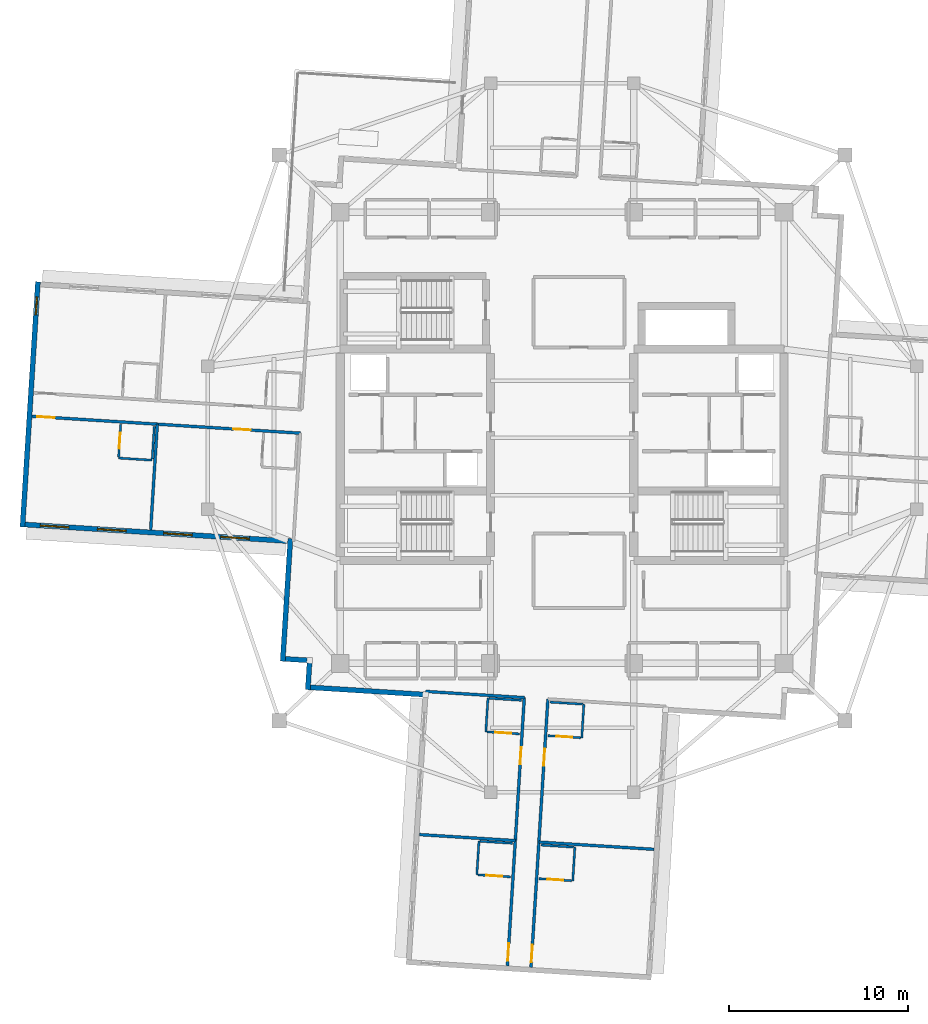
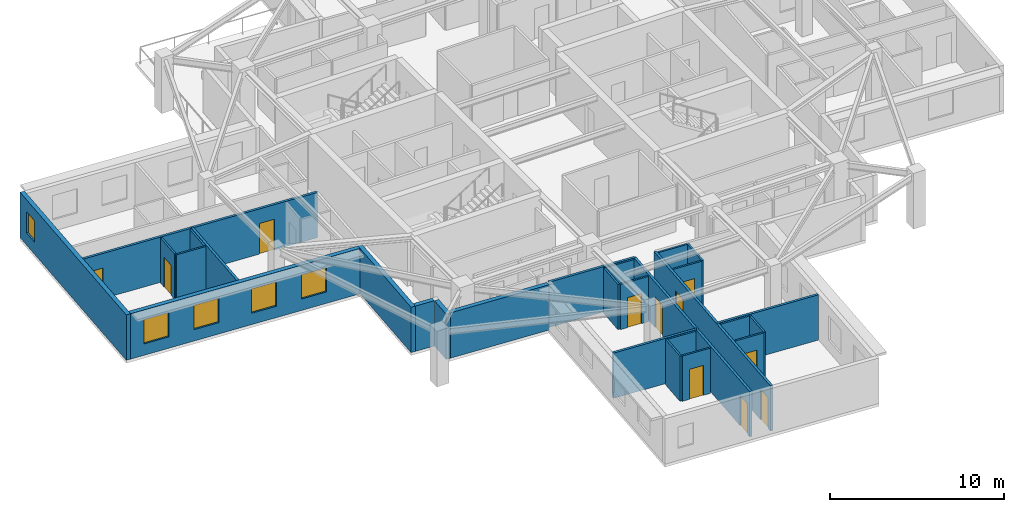
# One storey, part 3 of 12: 28 walls, 11 doors, 5 windows, 16 openings.
"""IFC4 building model written with IfcOpenShell, lengths in metres."""

from ifc_helpers import new_model, si_unit, direction, frame, frame_2d, origin, place, context, subcontext, project, spatial, rectangle, extrude, material, layer, layer_set, type_object, element, fill, save


model = new_model("IFC4")

# Units and contexts
model_context = context("Model", 3, precision=1e-05, world=origin(), true_north=direction((0.0, 1.0)))
body_context = subcontext(model_context, "Body", "Model", "MODEL_VIEW")
ifc_project = project(units=[si_unit("LENGTHUNIT", "METRE"), si_unit("AREAUNIT", "SQUARE_METRE"), si_unit("VOLUMEUNIT", "CUBIC_METRE"), si_unit("PLANEANGLEUNIT", "RADIAN"), si_unit("MASSUNIT", "GRAM", prefix="KILO")], contexts=[model_context])

# Site, building, storey
site_placement = place(None, origin())
site = spatial("IfcSite", under=ifc_project, at=site_placement, CompositionType="ELEMENT")
building_placement = place(site_placement, origin())
building = spatial("IfcBuilding", under=site, at=building_placement, Name="Qingluan Cross Belvedere", CompositionType="ELEMENT")
storey_placement = place(building_placement, frame((0.0, 0.0, 249.89990234375)))
storey = spatial("IfcBuildingStorey", under=building, at=storey_placement, Name="L62", CompositionType="ELEMENT", Elevation=249.89990234375)

# Wall, openings, doors
ifc_material_1 = material(Name="Gypsum plasterboard on steel stud acoustic partition", Category="steel")
ifc_layer_1 = layer(ifc_material_1, 0.159912109375, Name="CorridorPartition_160")
ifc_layer_set_1 = layer_set([ifc_layer_1], Name="Gypsum plasterboard on steel stud acoustic partition")
wall_type_1 = type_object("IfcWallType", Name="CorridorPartition_160", PredefinedType="PARTITIONING", material=ifc_layer_set_1)
wall_1_placement = place(storey_placement, frame((-14.632568359375, 0.25927734375, 0.0), z_axis=(0.0, 0.0, 1.0), x_axis=(-0.998026674719, 0.062791373209, 0.0)))
wall_1 = element("IfcWall", 1, at=wall_1_placement, inside=storey, type_object=wall_type_1, Name="Partition L62:W:c1", PredefinedType="PARTITIONING", context=body_context, shape_type="SweptSolid", body=[
    extrude(rectangle(XDim=15.011962890625, YDim=0.159912109375, at=frame_2d((7.505859375, 0.0))), origin(), (0.0, 0.0, 1.0), 3.170166015625),
])
opening_1_placement = place(wall_1_placement, frame((2.780029296875, 0.0, 0.0)))
opening_1 = element("IfcOpeningElement", 2, at=opening_1_placement, cuts=wall_1, Name="Opening GD-10", PredefinedType="OPENING", context=body_context, shape_type="SweptSolid", body=[
    extrude(rectangle(XDim=0.9599609375, YDim=2.14990234375, at=frame_2d((0.47998046875, 1.074951171875))), frame((0.0, 0.08984375, 0.0), z_axis=(0.0, -1.0, 0.0), x_axis=(1.0, 0.0, 0.0)), (0.0, 0.0, 1.0), 0.179931640625),
])
opening_2_placement = place(wall_1_placement, frame((13.760009765625, 0.0, 0.0)))
opening_2 = element("IfcOpeningElement", 3, at=opening_2_placement, cuts=wall_1, Name="Opening GD-10", PredefinedType="OPENING", context=body_context, shape_type="SweptSolid", body=[
    extrude(rectangle(XDim=0.9599609375, YDim=2.14990234375, at=frame_2d((0.47998046875, 1.074951171875))), frame((0.0, 0.08984375, 0.0), z_axis=(0.0, -1.0, 0.0), x_axis=(1.0, 0.0, 0.0)), (0.0, 0.0, 1.0), 0.179931640625),
])
ifc_material_2 = material(Name="Timber oak fire-rated acoustic guestroom door", Category="wood")
door_type_1 = type_object("IfcDoorType", Name="GuestEntryDoor_FD60", OperationType="NOTDEFINED", PredefinedType="DOOR", material=ifc_material_2)
door_1_placement = place(opening_1_placement, origin())
door_1 = element("IfcDoor", 4, at=door_1_placement, inside=storey, type_object=door_type_1, Name="Guest entry fire door 6207", OperationType="SINGLE_SWING_LEFT", OverallHeight=2.14990234375, OverallWidth=0.9599609375, PredefinedType="DOOR", context=body_context, shape_type="SweptSolid", body=[
    extrude(rectangle(XDim=0.9599609375, YDim=2.14990234375, at=frame_2d((0.47998046875, 1.074951171875))), frame((0.0, 0.02490234375, 0.0), z_axis=(0.0, -1.0, 0.0), x_axis=(1.0, 0.0, 0.0)), (0.0, 0.0, 1.0), 0.050048828125),
])
fill(opening_1, door_1)
door_2_placement = place(opening_2_placement, origin())
door_2 = element("IfcDoor", 5, at=door_2_placement, inside=storey, type_object=door_type_1, Name="Guest entry fire door 6208", OperationType="SINGLE_SWING_LEFT", OverallHeight=2.14990234375, OverallWidth=0.9599609375, PredefinedType="DOOR", context=body_context, shape_type="SweptSolid", body=[
    extrude(rectangle(XDim=0.9599609375, YDim=2.14990234375, at=frame_2d((0.47998046875, 1.074951171875))), frame((0.0, 0.02490234375, 0.0), z_axis=(0.0, -1.0, 0.0), x_axis=(1.0, 0.0, 0.0)), (0.0, 0.0, 1.0), 0.050048828125),
])
fill(opening_2, door_2)

# Wall
wall_2_placement = place(storey_placement, frame((-22.620849609375, 0.761962890625, 0.0), z_axis=(0.0, 0.0, 1.0), x_axis=(-0.062769061523, -0.99802807822, 0.0)))
element("IfcWall", 6, at=wall_2_placement, inside=storey, type_object=wall_type_1, Name="Partition L62:W:d1_0", PredefinedType="PARTITIONING", context=body_context, shape_type="SweptSolid", body=[
    extrude(rectangle(XDim=5.912109375, YDim=0.159912109375, at=frame_2d((2.9560546875, 0.0))), origin(), (0.0, 0.0, 1.0), 3.170166015625),
])

# Wall, openings, doors
wall_3_placement = place(storey_placement, frame((-0.798095703125, -14.5986328125, 0.0), z_axis=(0.0, 0.0, 1.0), x_axis=(-0.062791373209, -0.998026674719, 0.0)))
wall_3 = element("IfcWall", 7, at=wall_3_placement, inside=storey, type_object=wall_type_1, Name="Partition L62:S:c0", PredefinedType="PARTITIONING", context=body_context, shape_type="SweptSolid", body=[
    extrude(rectangle(XDim=15.011962890625, YDim=0.159912109375, at=frame_2d((7.505859375, 0.0))), origin(), (0.0, 0.0, 1.0), 3.170166015625),
])
opening_3_placement = place(wall_3_placement, frame((2.780029296875, 0.0, 0.0)))
opening_3 = element("IfcOpeningElement", 8, at=opening_3_placement, cuts=wall_3, Name="Opening GD-10", PredefinedType="OPENING", context=body_context, shape_type="SweptSolid", body=[
    extrude(rectangle(XDim=0.9599609375, YDim=2.14990234375, at=frame_2d((0.47998046875, 1.074951171875))), frame((0.0, 0.08984375, 0.0), z_axis=(0.0, -1.0, 0.0), x_axis=(1.0, 0.0, 0.0)), (0.0, 0.0, 1.0), 0.179931640625),
])
opening_4_placement = place(wall_3_placement, frame((13.760009765625, 0.0, 0.0)))
opening_4 = element("IfcOpeningElement", 9, at=opening_4_placement, cuts=wall_3, Name="Opening GD-10", PredefinedType="OPENING", context=body_context, shape_type="SweptSolid", body=[
    extrude(rectangle(XDim=0.9599609375, YDim=2.14990234375, at=frame_2d((0.47998046875, 1.074951171875))), frame((0.0, 0.08984375, 0.0), z_axis=(0.0, -1.0, 0.0), x_axis=(1.0, 0.0, 0.0)), (0.0, 0.0, 1.0), 0.179931640625),
])
door_3_placement = place(opening_3_placement, origin())
door_3 = element("IfcDoor", 10, at=door_3_placement, inside=storey, type_object=door_type_1, Name="Guest entry fire door 6211", OperationType="SINGLE_SWING_LEFT", OverallHeight=2.14990234375, OverallWidth=0.9599609375, PredefinedType="DOOR", context=body_context, shape_type="SweptSolid", body=[
    extrude(rectangle(XDim=0.9599609375, YDim=2.14990234375, at=frame_2d((0.47998046875, 1.074951171875))), frame((0.0, 0.02490234375, 0.0), z_axis=(0.0, -1.0, 0.0), x_axis=(1.0, 0.0, 0.0)), (0.0, 0.0, 1.0), 0.050048828125),
])
fill(opening_3, door_3)
door_4_placement = place(opening_4_placement, origin())
door_4 = element("IfcDoor", 11, at=door_4_placement, inside=storey, type_object=door_type_1, Name="Guest entry fire door 6212", OperationType="SINGLE_SWING_LEFT", OverallHeight=2.14990234375, OverallWidth=0.9599609375, PredefinedType="DOOR", context=body_context, shape_type="SweptSolid", body=[
    extrude(rectangle(XDim=0.9599609375, YDim=2.14990234375, at=frame_2d((0.47998046875, 1.074951171875))), frame((0.0, 0.02490234375, 0.0), z_axis=(0.0, -1.0, 0.0), x_axis=(1.0, 0.0, 0.0)), (0.0, 0.0, 1.0), 0.050048828125),
])
fill(opening_4, door_4)

# Wall
wall_4_placement = place(storey_placement, frame((-1.30078125, -22.5869140625, 0.0), z_axis=(0.0, 0.0, 1.0), x_axis=(0.998027616022, -0.062776410047, 0.0)))
element("IfcWall", 12, at=wall_4_placement, inside=storey, type_object=wall_type_1, Name="Partition L62:S:d0_0", PredefinedType="PARTITIONING", context=body_context, shape_type="SweptSolid", body=[
    extrude(rectangle(XDim=6.451904296875, YDim=0.159912109375, at=frame_2d((3.22607421875, 0.0))), origin(), (0.0, 0.0, 1.0), 3.170166015625),
])

# Wall, openings, doors
wall_5_placement = place(storey_placement, frame((-2.115478515625, -14.515869140625, 0.0), z_axis=(0.0, 0.0, 1.0), x_axis=(-0.062791373209, -0.998026674719, 0.0)))
wall_5 = element("IfcWall", 13, at=wall_5_placement, inside=storey, type_object=wall_type_1, Name="Partition L62:S:c1", PredefinedType="PARTITIONING", context=body_context, shape_type="SweptSolid", body=[
    extrude(rectangle(XDim=15.011962890625, YDim=0.159912109375, at=frame_2d((7.505859375, 0.0))), origin(), (0.0, 0.0, 1.0), 3.170166015625),
])
opening_5_placement = place(wall_5_placement, frame((2.780029296875, 0.0, 0.0)))
opening_5 = element("IfcOpeningElement", 14, at=opening_5_placement, cuts=wall_5, Name="Opening GD-10", PredefinedType="OPENING", context=body_context, shape_type="SweptSolid", body=[
    extrude(rectangle(XDim=0.9599609375, YDim=2.14990234375, at=frame_2d((0.47998046875, 1.074951171875))), frame((0.0, 0.08984375, 0.0), z_axis=(0.0, -1.0, 0.0), x_axis=(1.0, 0.0, 0.0)), (0.0, 0.0, 1.0), 0.179931640625),
])
opening_6_placement = place(wall_5_placement, frame((13.760009765625, 0.0, 0.0)))
opening_6 = element("IfcOpeningElement", 15, at=opening_6_placement, cuts=wall_5, Name="Opening GD-10", PredefinedType="OPENING", context=body_context, shape_type="SweptSolid", body=[
    extrude(rectangle(XDim=0.9599609375, YDim=2.14990234375, at=frame_2d((0.47998046875, 1.074951171875))), frame((0.0, 0.08984375, 0.0), z_axis=(0.0, -1.0, 0.0), x_axis=(1.0, 0.0, 0.0)), (0.0, 0.0, 1.0), 0.179931640625),
])
door_5_placement = place(opening_5_placement, origin())
door_5 = element("IfcDoor", 16, at=door_5_placement, inside=storey, type_object=door_type_1, Name="Guest entry fire door 6213", OperationType="SINGLE_SWING_LEFT", OverallHeight=2.14990234375, OverallWidth=0.9599609375, PredefinedType="DOOR", context=body_context, shape_type="SweptSolid", body=[
    extrude(rectangle(XDim=0.9599609375, YDim=2.14990234375, at=frame_2d((0.47998046875, 1.074951171875))), frame((0.0, 0.02490234375, 0.0), z_axis=(0.0, -1.0, 0.0), x_axis=(1.0, 0.0, 0.0)), (0.0, 0.0, 1.0), 0.050048828125),
])
fill(opening_5, door_5)
door_6_placement = place(opening_6_placement, origin())
door_6 = element("IfcDoor", 17, at=door_6_placement, inside=storey, type_object=door_type_1, Name="Guest entry fire door 6214", OperationType="SINGLE_SWING_LEFT", OverallHeight=2.14990234375, OverallWidth=0.9599609375, PredefinedType="DOOR", context=body_context, shape_type="SweptSolid", body=[
    extrude(rectangle(XDim=0.9599609375, YDim=2.14990234375, at=frame_2d((0.47998046875, 1.074951171875))), frame((0.0, 0.02490234375, 0.0), z_axis=(0.0, -1.0, 0.0), x_axis=(1.0, 0.0, 0.0)), (0.0, 0.0, 1.0), 0.050048828125),
])
fill(opening_6, door_6)

# Walls
wall_6_placement = place(storey_placement, frame((-2.115478515625, -14.515869140625, 0.0), z_axis=(0.0, 0.0, 1.0), x_axis=(-0.998025986639, 0.062802308829, 0.0)))
element("IfcWall", 18, at=wall_6_placement, inside=storey, type_object=wall_type_1, Name="Partition L62:S:s1", PredefinedType="PARTITIONING", context=body_context, shape_type="SweptSolid", body=[
    extrude(rectangle(XDim=5.520263671875, YDim=0.159912109375, at=frame_2d((2.76025390625, 0.0))), origin(), (0.0, 0.0, 1.0), 3.170166015625),
])
wall_7_placement = place(storey_placement, frame((-2.6181640625, -22.50390625, 0.0), z_axis=(0.0, 0.0, 1.0), x_axis=(-0.998028454231, 0.062763082664, 0.0)))
element("IfcWall", 19, at=wall_7_placement, inside=storey, type_object=wall_type_1, Name="Partition L62:S:d1_0", PredefinedType="PARTITIONING", context=body_context, shape_type="SweptSolid", body=[
    extrude(rectangle(XDim=5.371826171875, YDim=0.159912109375, at=frame_2d((2.68603515625, 0.0))), origin(), (0.0, 0.0, 1.0), 3.170166015625),
])

# Wall, opening, door
ifc_material_3 = material(Name="Moisture-resistant gypsum board lining")
ifc_layer_2 = layer(ifc_material_3, 0.1201171875, Name="EnsuiteWetPartition_120")
ifc_layer_set_2 = layer_set([ifc_layer_2], Name="Moisture-resistant gypsum board lining")
wall_type_2 = type_object("IfcWallType", Name="EnsuiteWetPartition_120", PredefinedType="PARTITIONING", material=ifc_layer_set_2)
wall_8_placement = place(storey_placement, frame((-24.77978515625, -1.066162109375, 0.0), z_axis=(0.0, 0.0, 1.0), x_axis=(0.062779145668, 0.998027443946, 0.0)))
wall_8 = element("IfcWall", 20, at=wall_8_placement, inside=storey, type_object=wall_type_2, Name="Partition L62:W:bs1_1", PredefinedType="PARTITIONING", context=body_context, shape_type="SweptSolid", body=[
    extrude(rectangle(XDim=1.820068359375, YDim=0.1201171875, at=frame_2d((0.91015625, 0.0))), origin(), (0.0, 0.0, 1.0), 3.170166015625),
])
opening_7_placement = place(wall_8_placement, frame((0.469970703125, 0.0, 0.0)))
opening_7 = element("IfcOpeningElement", 21, at=opening_7_placement, cuts=wall_8, Name="Opening BD-09", PredefinedType="OPENING", context=body_context, shape_type="SweptSolid", body=[
    extrude(rectangle(XDim=0.8798828125, YDim=2.10009765625, at=frame_2d((0.43994140625, 1.050048828125))), frame((0.0, 0.070068359375, 0.0), z_axis=(0.0, -1.0, 0.0), x_axis=(1.0, 0.0, 0.0)), (0.0, 0.0, 1.0), 0.14013671875),
])
ifc_material_4 = material(Name="Moisture-sealed timber en-suite door", Category="wood")
door_type_2 = type_object("IfcDoorType", Name="BathroomDoor_880", OperationType="NOTDEFINED", PredefinedType="DOOR", material=ifc_material_4)
door_7_placement = place(opening_7_placement, origin())
door_7 = element("IfcDoor", 22, at=door_7_placement, inside=storey, type_object=door_type_2, Name="Bathroom door 6208", OperationType="SINGLE_SWING_RIGHT", OverallHeight=2.10009765625, OverallWidth=0.8798828125, PredefinedType="DOOR", context=body_context, shape_type="SweptSolid", body=[
    extrude(rectangle(XDim=0.8798828125, YDim=2.10009765625, at=frame_2d((0.43994140625, 1.050048828125))), frame((0.0, 0.02490234375, 0.0), z_axis=(0.0, -1.0, 0.0), x_axis=(1.0, 0.0, 0.0)), (0.0, 0.0, 1.0), 0.050048828125),
])
fill(opening_7, door_7)

# Walls
wall_9_placement = place(storey_placement, frame((-22.903564453125, -1.18408203125, 0.0), z_axis=(0.0, 0.0, 1.0), x_axis=(0.062787551592, 0.998026915151, 0.0)))
element("IfcWall", 23, at=wall_9_placement, inside=storey, type_object=wall_type_2, Name="Partition L62:W:bw1_1", PredefinedType="PARTITIONING", context=body_context, shape_type="SweptSolid", body=[
    extrude(rectangle(XDim=1.81982421875, YDim=0.1201171875, at=frame_2d((0.909912109375, 0.0))), origin(), (0.0, 0.0, 1.0), 3.170166015625),
])
wall_10_placement = place(storey_placement, frame((-22.90771484375, -1.2490234375, 0.0), z_axis=(0.0, 0.0, 1.0), x_axis=(-0.998030789148, 0.062725942896, 0.0)))
element("IfcWall", 24, at=wall_10_placement, inside=storey, type_object=wall_type_2, Name="Partition L62:W:bc1_1", PredefinedType="PARTITIONING", context=body_context, shape_type="SweptSolid", body=[
    extrude(rectangle(XDim=1.8798828125, YDim=0.1201171875, at=frame_2d((0.93994140625, 0.0))), origin(), (0.0, 0.0, 1.0), 3.170166015625),
])

# Wall, opening, door
wall_11_placement = place(storey_placement, frame((-0.78662109375, -16.6435546875, 0.0), z_axis=(0.0, 0.0, 1.0), x_axis=(0.998027443946, -0.062779145668, 0.0)))
wall_11 = element("IfcWall", 25, at=wall_11_placement, inside=storey, type_object=wall_type_2, Name="Partition L62:S:bs0_0", PredefinedType="PARTITIONING", context=body_context, shape_type="SweptSolid", body=[
    extrude(rectangle(XDim=1.820068359375, YDim=0.1201171875, at=frame_2d((0.91015625, 0.0))), origin(), (0.0, 0.0, 1.0), 3.170166015625),
])
opening_8_placement = place(wall_11_placement, frame((0.469970703125, 0.0, 0.0)))
opening_8 = element("IfcOpeningElement", 26, at=opening_8_placement, cuts=wall_11, Name="Opening BD-09", PredefinedType="OPENING", context=body_context, shape_type="SweptSolid", body=[
    extrude(rectangle(XDim=0.8798828125, YDim=2.10009765625, at=frame_2d((0.43994140625, 1.050048828125))), frame((0.0, 0.070068359375, 0.0), z_axis=(0.0, -1.0, 0.0), x_axis=(1.0, 0.0, 0.0)), (0.0, 0.0, 1.0), 0.14013671875),
])
door_8_placement = place(opening_8_placement, origin())
door_8 = element("IfcDoor", 27, at=door_8_placement, inside=storey, type_object=door_type_2, Name="Bathroom door 6211", OperationType="SINGLE_SWING_RIGHT", OverallHeight=2.10009765625, OverallWidth=0.8798828125, PredefinedType="DOOR", context=body_context, shape_type="SweptSolid", body=[
    extrude(rectangle(XDim=0.8798828125, YDim=2.10009765625, at=frame_2d((0.43994140625, 1.050048828125))), frame((0.0, 0.02490234375, 0.0), z_axis=(0.0, -1.0, 0.0), x_axis=(1.0, 0.0, 0.0)), (0.0, 0.0, 1.0), 0.050048828125),
])
fill(opening_8, door_8)

# Walls
wall_12_placement = place(storey_placement, frame((-0.668701171875, -14.76708984375, 0.0), z_axis=(0.0, 0.0, 1.0), x_axis=(0.998027972529, -0.062770741989, 0.0)))
element("IfcWall", 28, at=wall_12_placement, inside=storey, type_object=wall_type_2, Name="Partition L62:S:bw0_0", PredefinedType="PARTITIONING", context=body_context, shape_type="SweptSolid", body=[
    extrude(rectangle(XDim=1.8203125, YDim=0.1201171875, at=frame_2d((0.91015625, 0.0))), origin(), (0.0, 0.0, 1.0), 3.170166015625),
])
wall_13_placement = place(storey_placement, frame((1.212646484375, -14.885498046875, 0.0), z_axis=(0.0, 0.0, 1.0), x_axis=(-0.062725942896, -0.998030789148, 0.0)))
element("IfcWall", 29, at=wall_13_placement, inside=storey, type_object=wall_type_2, Name="Partition L62:S:bn0_0", PredefinedType="PARTITIONING", context=body_context, shape_type="SweptSolid", body=[
    extrude(rectangle(XDim=1.8798828125, YDim=0.1201171875, at=frame_2d((0.93994140625, 0.0))), origin(), (0.0, 0.0, 1.0), 3.170166015625),
])

# Wall, opening, door
wall_14_placement = place(storey_placement, frame((-1.289306640625, -24.631591796875, 0.0), z_axis=(0.0, 0.0, 1.0), x_axis=(0.998027443946, -0.062779145668, 0.0)))
wall_14 = element("IfcWall", 30, at=wall_14_placement, inside=storey, type_object=wall_type_2, Name="Partition L62:S:bs0_1", PredefinedType="PARTITIONING", context=body_context, shape_type="SweptSolid", body=[
    extrude(rectangle(XDim=1.820068359375, YDim=0.1201171875, at=frame_2d((0.91015625, 0.0))), origin(), (0.0, 0.0, 1.0), 3.170166015625),
])
opening_9_placement = place(wall_14_placement, frame((0.469970703125, 0.0, 0.0)))
opening_9 = element("IfcOpeningElement", 31, at=opening_9_placement, cuts=wall_14, Name="Opening BD-09", PredefinedType="OPENING", context=body_context, shape_type="SweptSolid", body=[
    extrude(rectangle(XDim=0.8798828125, YDim=2.10009765625, at=frame_2d((0.43994140625, 1.050048828125))), frame((0.0, 0.070068359375, 0.0), z_axis=(0.0, -1.0, 0.0), x_axis=(1.0, 0.0, 0.0)), (0.0, 0.0, 1.0), 0.14013671875),
])
door_9_placement = place(opening_9_placement, origin())
door_9 = element("IfcDoor", 32, at=door_9_placement, inside=storey, type_object=door_type_2, Name="Bathroom door 6212", OperationType="SINGLE_SWING_RIGHT", OverallHeight=2.10009765625, OverallWidth=0.8798828125, PredefinedType="DOOR", context=body_context, shape_type="SweptSolid", body=[
    extrude(rectangle(XDim=0.8798828125, YDim=2.10009765625, at=frame_2d((0.43994140625, 1.050048828125))), frame((0.0, 0.02490234375, 0.0), z_axis=(0.0, -1.0, 0.0), x_axis=(1.0, 0.0, 0.0)), (0.0, 0.0, 1.0), 0.050048828125),
])
fill(opening_9, door_9)

# Walls
wall_15_placement = place(storey_placement, frame((-1.171142578125, -22.75537109375, 0.0), z_axis=(0.0, 0.0, 1.0), x_axis=(0.998027443946, -0.062779145668, 0.0)))
element("IfcWall", 33, at=wall_15_placement, inside=storey, type_object=wall_type_2, Name="Partition L62:S:bw0_1", PredefinedType="PARTITIONING", context=body_context, shape_type="SweptSolid", body=[
    extrude(rectangle(XDim=1.820068359375, YDim=0.1201171875, at=frame_2d((0.91015625, 0.0))), origin(), (0.0, 0.0, 1.0), 3.170166015625),
])
wall_16_placement = place(storey_placement, frame((0.710205078125, -22.873779296875, 0.0), z_axis=(0.0, 0.0, 1.0), x_axis=(-0.062855297722, -0.998022650819, 0.0)))
element("IfcWall", 34, at=wall_16_placement, inside=storey, type_object=wall_type_2, Name="Partition L62:S:bn0_1", PredefinedType="PARTITIONING", context=body_context, shape_type="SweptSolid", body=[
    extrude(rectangle(XDim=1.8798828125, YDim=0.1201171875, at=frame_2d((0.93994140625, 0.0))), origin(), (0.0, 0.0, 1.0), 3.170166015625),
])

# Wall, opening, door
wall_17_placement = place(storey_placement, frame((-4.199951171875, -16.4287109375, 0.0), z_axis=(0.0, 0.0, 1.0), x_axis=(0.998027972529, -0.062770741989, 0.0)))
wall_17 = element("IfcWall", 35, at=wall_17_placement, inside=storey, type_object=wall_type_2, Name="Partition L62:S:bs1_0", PredefinedType="PARTITIONING", context=body_context, shape_type="SweptSolid", body=[
    extrude(rectangle(XDim=1.8203125, YDim=0.1201171875, at=frame_2d((0.91015625, 0.0))), origin(), (0.0, 0.0, 1.0), 3.170166015625),
])
opening_10_placement = place(wall_17_placement, frame((0.469970703125, 0.0, 0.0)))
opening_10 = element("IfcOpeningElement", 36, at=opening_10_placement, cuts=wall_17, Name="Opening BD-09", PredefinedType="OPENING", context=body_context, shape_type="SweptSolid", body=[
    extrude(rectangle(XDim=0.8798828125, YDim=2.10009765625, at=frame_2d((0.43994140625, 1.050048828125))), frame((0.0, 0.070068359375, 0.0), z_axis=(0.0, -1.0, 0.0), x_axis=(1.0, 0.0, 0.0)), (0.0, 0.0, 1.0), 0.14013671875),
])
door_10_placement = place(opening_10_placement, origin())
door_10 = element("IfcDoor", 37, at=door_10_placement, inside=storey, type_object=door_type_2, Name="Bathroom door 6213", OperationType="SINGLE_SWING_RIGHT", OverallHeight=2.10009765625, OverallWidth=0.8798828125, PredefinedType="DOOR", context=body_context, shape_type="SweptSolid", body=[
    extrude(rectangle(XDim=0.8798828125, YDim=2.10009765625, at=frame_2d((0.43994140625, 1.050048828125))), frame((0.0, 0.02490234375, 0.0), z_axis=(0.0, -1.0, 0.0), x_axis=(1.0, 0.0, 0.0)), (0.0, 0.0, 1.0), 0.050048828125),
])
fill(opening_10, door_10)

# Walls
wall_18_placement = place(storey_placement, frame((-4.081787109375, -14.552490234375, 0.0), z_axis=(0.0, 0.0, 1.0), x_axis=(0.998027443946, -0.062779145668, 0.0)))
element("IfcWall", 38, at=wall_18_placement, inside=storey, type_object=wall_type_2, Name="Partition L62:S:bw1_0", PredefinedType="PARTITIONING", context=body_context, shape_type="SweptSolid", body=[
    extrude(rectangle(XDim=1.820068359375, YDim=0.1201171875, at=frame_2d((0.91015625, 0.0))), origin(), (0.0, 0.0, 1.0), 3.170166015625),
])
wall_19_placement = place(storey_placement, frame((-4.146728515625, -14.54833984375, 0.0), z_axis=(0.0, 0.0, 1.0), x_axis=(-0.062725942896, -0.998030789148, 0.0)))
element("IfcWall", 39, at=wall_19_placement, inside=storey, type_object=wall_type_2, Name="Partition L62:S:bc1_0", PredefinedType="PARTITIONING", context=body_context, shape_type="SweptSolid", body=[
    extrude(rectangle(XDim=1.8798828125, YDim=0.1201171875, at=frame_2d((0.93994140625, 0.0))), origin(), (0.0, 0.0, 1.0), 3.170166015625),
])

# Wall, opening, door
wall_20_placement = place(storey_placement, frame((-4.702392578125, -24.4169921875, 0.0), z_axis=(0.0, 0.0, 1.0), x_axis=(0.998027443946, -0.062779145668, 0.0)))
wall_20 = element("IfcWall", 40, at=wall_20_placement, inside=storey, type_object=wall_type_2, Name="Partition L62:S:bs1_1", PredefinedType="PARTITIONING", context=body_context, shape_type="SweptSolid", body=[
    extrude(rectangle(XDim=1.820068359375, YDim=0.1201171875, at=frame_2d((0.91015625, 0.0))), origin(), (0.0, 0.0, 1.0), 3.170166015625),
])
opening_11_placement = place(wall_20_placement, frame((0.469970703125, 0.0, 0.0)))
opening_11 = element("IfcOpeningElement", 41, at=opening_11_placement, cuts=wall_20, Name="Opening BD-09", PredefinedType="OPENING", context=body_context, shape_type="SweptSolid", body=[
    extrude(rectangle(XDim=0.8798828125, YDim=2.10009765625, at=frame_2d((0.43994140625, 1.050048828125))), frame((0.0, 0.070068359375, 0.0), z_axis=(0.0, -1.0, 0.0), x_axis=(1.0, 0.0, 0.0)), (0.0, 0.0, 1.0), 0.14013671875),
])
door_11_placement = place(opening_11_placement, origin())
door_11 = element("IfcDoor", 42, at=door_11_placement, inside=storey, type_object=door_type_2, Name="Bathroom door 6214", OperationType="SINGLE_SWING_RIGHT", OverallHeight=2.10009765625, OverallWidth=0.8798828125, PredefinedType="DOOR", context=body_context, shape_type="SweptSolid", body=[
    extrude(rectangle(XDim=0.8798828125, YDim=2.10009765625, at=frame_2d((0.43994140625, 1.050048828125))), frame((0.0, 0.02490234375, 0.0), z_axis=(0.0, -1.0, 0.0), x_axis=(1.0, 0.0, 0.0)), (0.0, 0.0, 1.0), 0.050048828125),
])
fill(opening_11, door_11)

# Walls
wall_21_placement = place(storey_placement, frame((-4.58447265625, -22.54052734375, 0.0), z_axis=(0.0, 0.0, 1.0), x_axis=(0.998027443946, -0.062779145668, 0.0)))
element("IfcWall", 43, at=wall_21_placement, inside=storey, type_object=wall_type_2, Name="Partition L62:S:bw1_1", PredefinedType="PARTITIONING", context=body_context, shape_type="SweptSolid", body=[
    extrude(rectangle(XDim=1.820068359375, YDim=0.1201171875, at=frame_2d((0.91015625, 0.0))), origin(), (0.0, 0.0, 1.0), 3.170166015625),
])
wall_22_placement = place(storey_placement, frame((-4.6494140625, -22.53662109375, 0.0), z_axis=(0.0, 0.0, 1.0), x_axis=(-0.062725942896, -0.998030789148, 0.0)))
element("IfcWall", 44, at=wall_22_placement, inside=storey, type_object=wall_type_2, Name="Partition L62:S:bc1_1", PredefinedType="PARTITIONING", context=body_context, shape_type="SweptSolid", body=[
    extrude(rectangle(XDim=1.8798828125, YDim=0.1201171875, at=frame_2d((0.93994140625, 0.0))), origin(), (0.0, 0.0, 1.0), 3.170166015625),
])

# Wall, openings, windows
ifc_material_5 = material(Name="Precast concrete C45", Category="concrete")
ifc_layer_3 = layer(ifc_material_5, 0.280029296875, Name="PrecastFacadeWall_280")
ifc_layer_set_3 = layer_set([ifc_layer_3], Name="Precast concrete C45")
wall_type_3 = type_object("IfcWallType", Name="PrecastFacadeWall_280", PredefinedType="STANDARD", material=ifc_layer_set_3)
wall_23_placement = place(storey_placement, frame((-30.00341796875, -4.845703125, 0.0), z_axis=(0.0, 0.0, 1.0), x_axis=(0.998027423805, -0.062779465852, 0.0)))
wall_23 = element("IfcWall", 45, at=wall_23_placement, inside=storey, type_object=wall_type_3, Name="Facade wall L62-WB", PredefinedType="STANDARD", context=body_context, shape_type="SweptSolid", body=[
    extrude(rectangle(XDim=14.699951171875, YDim=0.280029296875, at=frame_2d((7.35009765625, 0.0))), origin(), (0.0, 0.0, 1.0), 3.18017578125),
])
opening_12_placement = place(wall_23_placement, frame((0.85009765625, 0.0, 0.800048828125)))
opening_12 = element("IfcOpeningElement", 46, at=opening_12_placement, cuts=wall_23, Name="Opening W-04", PredefinedType="OPENING", context=body_context, shape_type="SweptSolid", body=[
    extrude(rectangle(XDim=1.60009765625, YDim=1.699951171875, at=frame_2d((0.800048828125, 0.85009765625))), frame((0.0, 0.14990234375, 0.0), z_axis=(0.0, -1.0, 0.0), x_axis=(1.0, 0.0, 0.0)), (0.0, 0.0, 1.0), 0.300048828125),
])
opening_13_placement = place(wall_23_placement, frame((4.050048828125, 0.0, 0.800048828125)))
opening_13 = element("IfcOpeningElement", 47, at=opening_13_placement, cuts=wall_23, Name="Opening W-04", PredefinedType="OPENING", context=body_context, shape_type="SweptSolid", body=[
    extrude(rectangle(XDim=1.60009765625, YDim=1.699951171875, at=frame_2d((0.800048828125, 0.85009765625))), frame((0.0, 0.14990234375, 0.0), z_axis=(0.0, -1.0, 0.0), x_axis=(1.0, 0.0, 0.0)), (0.0, 0.0, 1.0), 0.300048828125),
])
opening_14_placement = place(wall_23_placement, frame((7.75, 0.0, 0.800048828125)))
opening_14 = element("IfcOpeningElement", 48, at=opening_14_placement, cuts=wall_23, Name="Opening W-04", PredefinedType="OPENING", context=body_context, shape_type="SweptSolid", body=[
    extrude(rectangle(XDim=1.60009765625, YDim=1.699951171875, at=frame_2d((0.800048828125, 0.85009765625))), frame((0.0, 0.14990234375, 0.0), z_axis=(0.0, -1.0, 0.0), x_axis=(1.0, 0.0, 0.0)), (0.0, 0.0, 1.0), 0.300048828125),
])
opening_15_placement = place(wall_23_placement, frame((10.949951171875, 0.0, 0.800048828125)))
opening_15 = element("IfcOpeningElement", 49, at=opening_15_placement, cuts=wall_23, Name="Opening W-04", PredefinedType="OPENING", context=body_context, shape_type="SweptSolid", body=[
    extrude(rectangle(XDim=1.60009765625, YDim=1.699951171875, at=frame_2d((0.800048828125, 0.85009765625))), frame((0.0, 0.14990234375, 0.0), z_axis=(0.0, -1.0, 0.0), x_axis=(1.0, 0.0, 0.0)), (0.0, 0.0, 1.0), 0.300048828125),
])
ifc_material_6 = material(Name="Thermally broken triple Low-E glass in aluminium frame", Category="aluminium")
window_type_1 = type_object("IfcWindowType", Name="SuiteCornerWin_1600x1700", PartitioningType="SINGLE_PANEL", PredefinedType="WINDOW", material=ifc_material_6)
window_1_placement = place(opening_12_placement, origin())
window_1 = element("IfcWindow", 50, at=window_1_placement, inside=storey, type_object=window_type_1, Name="Ribbon window L62-WB-1", OverallHeight=1.699951171875, OverallWidth=1.60009765625, PartitioningType="SINGLE_PANEL", PredefinedType="WINDOW", context=body_context, shape_type="SweptSolid", body=[
    extrude(rectangle(XDim=1.60009765625, YDim=1.699951171875, at=frame_2d((0.800048828125, 0.85009765625))), frame((0.0, 0.030029296875, 0.0), z_axis=(0.0, -1.0, 0.0), x_axis=(1.0, 0.0, 0.0)), (0.0, 0.0, 1.0), 0.06005859375),
])
fill(opening_12, window_1)
window_2_placement = place(opening_13_placement, origin())
window_2 = element("IfcWindow", 51, at=window_2_placement, inside=storey, type_object=window_type_1, Name="Ribbon window L62-WB-2", OverallHeight=1.699951171875, OverallWidth=1.60009765625, PartitioningType="SINGLE_PANEL", PredefinedType="WINDOW", context=body_context, shape_type="SweptSolid", body=[
    extrude(rectangle(XDim=1.60009765625, YDim=1.699951171875, at=frame_2d((0.800048828125, 0.85009765625))), frame((0.0, 0.030029296875, 0.0), z_axis=(0.0, -1.0, 0.0), x_axis=(1.0, 0.0, 0.0)), (0.0, 0.0, 1.0), 0.06005859375),
])
fill(opening_13, window_2)
window_3_placement = place(opening_14_placement, origin())
window_3 = element("IfcWindow", 52, at=window_3_placement, inside=storey, type_object=window_type_1, Name="Ribbon window L62-WB-3", OverallHeight=1.699951171875, OverallWidth=1.60009765625, PartitioningType="SINGLE_PANEL", PredefinedType="WINDOW", context=body_context, shape_type="SweptSolid", body=[
    extrude(rectangle(XDim=1.60009765625, YDim=1.699951171875, at=frame_2d((0.800048828125, 0.85009765625))), frame((0.0, 0.030029296875, 0.0), z_axis=(0.0, -1.0, 0.0), x_axis=(1.0, 0.0, 0.0)), (0.0, 0.0, 1.0), 0.06005859375),
])
fill(opening_14, window_3)
window_4_placement = place(opening_15_placement, origin())
window_4 = element("IfcWindow", 53, at=window_4_placement, inside=storey, type_object=window_type_1, Name="Ribbon window L62-WB-4", OverallHeight=1.699951171875, OverallWidth=1.60009765625, PartitioningType="SINGLE_PANEL", PredefinedType="WINDOW", context=body_context, shape_type="SweptSolid", body=[
    extrude(rectangle(XDim=1.60009765625, YDim=1.699951171875, at=frame_2d((0.800048828125, 0.85009765625))), frame((0.0, 0.030029296875, 0.0), z_axis=(0.0, -1.0, 0.0), x_axis=(1.0, 0.0, 0.0)), (0.0, 0.0, 1.0), 0.06005859375),
])
fill(opening_15, window_4)

# Wall, opening, window
wall_24_placement = place(storey_placement, frame((-29.29052734375, 8.71630859375, 0.0), z_axis=(0.0, 0.0, 1.0), x_axis=(-0.062797041623, -0.998026318072, 0.0)))
wall_24 = element("IfcWall", 54, at=wall_24_placement, inside=storey, type_object=wall_type_3, Name="Arm tip precast facade wall L62-W", PredefinedType="STANDARD", context=body_context, shape_type="SweptSolid", body=[
    extrude(rectangle(XDim=13.719970703125, YDim=0.280029296875, at=frame_2d((6.85986328125, 0.0))), origin(), (0.0, 0.0, 1.0), 3.18017578125),
])
opening_16_placement = place(wall_24_placement, frame((0.85009765625, 0.0, 0.85009765625)))
opening_16 = element("IfcOpeningElement", 55, at=opening_16_placement, cuts=wall_24, Name="Opening W-03", PredefinedType="OPENING", context=body_context, shape_type="SweptSolid", body=[
    extrude(rectangle(XDim=1.0, YDim=1.5, at=frame_2d((0.5, 0.75))), frame((0.0, 0.14990234375, 0.0), z_axis=(0.0, -1.0, 0.0), x_axis=(1.0, 0.0, 0.0)), (0.0, 0.0, 1.0), 0.300048828125),
])
ifc_material_7 = material(Name="Thermally broken triple Low-E glass in aluminium frame", Category="aluminium")
window_type_2 = type_object("IfcWindowType", Name="TriApexWin_1000x1500", PartitioningType="SINGLE_PANEL", PredefinedType="WINDOW", material=ifc_material_7)
window_5_placement = place(opening_16_placement, origin())
window_5 = element("IfcWindow", 56, at=window_5_placement, inside=storey, type_object=window_type_2, Name="Arm tip triangular window L62-W", OverallHeight=1.5, OverallWidth=1.0, PartitioningType="SINGLE_PANEL", PredefinedType="WINDOW", context=body_context, shape_type="SweptSolid", body=[
    extrude(rectangle(XDim=1.0, YDim=1.5, at=frame_2d((0.5, 0.75))), frame((0.0, 0.030029296875, 0.0), z_axis=(0.0, -1.0, 0.0), x_axis=(1.0, 0.0, 0.0)), (0.0, 0.0, 1.0), 0.06005859375),
])
fill(opening_16, window_5)

# Walls
wall_25_placement = place(storey_placement, frame((-15.18408203125, -5.6376953125, 0.0), z_axis=(0.0, 0.0, 1.0), x_axis=(-0.062779317195, -0.998027433156, 0.0)))
element("IfcWall", 57, at=wall_25_placement, inside=storey, type_object=wall_type_3, Name="Corner wall L62-SW1", PredefinedType="STANDARD", context=body_context, shape_type="SweptSolid", body=[
    extrude(rectangle(XDim=6.85986328125, YDim=0.280029296875, at=frame_2d((3.429931640625, 0.0))), origin(), (0.0, 0.0, 1.0), 3.18017578125),
])
wall_26_placement = place(storey_placement, frame((-15.46630859375, -12.353271484375, 0.0), z_axis=(0.0, 0.0, 1.0), x_axis=(0.998024450254, -0.062826719603, 0.0)))
element("IfcWall", 58, at=wall_26_placement, inside=storey, type_object=wall_type_3, Name="Corner wall L62-SW2", PredefinedType="STANDARD", context=body_context, shape_type="SweptSolid", body=[
    extrude(rectangle(XDim=1.22021484375, YDim=0.280029296875, at=frame_2d((0.610107421875, 0.0))), origin(), (0.0, 0.0, 1.0), 3.18017578125),
])
wall_27_placement = place(storey_placement, frame((-14.11767578125, -12.578369140625, 0.0), z_axis=(0.0, 0.0, 1.0), x_axis=(-0.062824119533, -0.998024613927, 0.0)))
element("IfcWall", 59, at=wall_27_placement, inside=storey, type_object=wall_type_3, Name="Corner wall L62-SW3", PredefinedType="STANDARD", context=body_context, shape_type="SweptSolid", body=[
    extrude(rectangle(XDim=1.5, YDim=0.280029296875, at=frame_2d((0.75, 0.0))), origin(), (0.0, 0.0, 1.0), 3.18017578125),
])
wall_28_placement = place(storey_placement, frame((-14.063232421875, -13.944580078125, 0.0), z_axis=(0.0, 0.0, 1.0), x_axis=(0.998027314704, -0.062781200242, 0.0)))
element("IfcWall", 60, at=wall_28_placement, inside=storey, type_object=wall_type_3, Name="Corner wall L62-SW4", PredefinedType="STANDARD", context=body_context, shape_type="SweptSolid", body=[
    extrude(rectangle(XDim=6.2998046875, YDim=0.280029296875, at=frame_2d((3.14990234375, 0.0))), origin(), (0.0, 0.0, 1.0), 3.18017578125),
])

save(model, "model.ifc")
